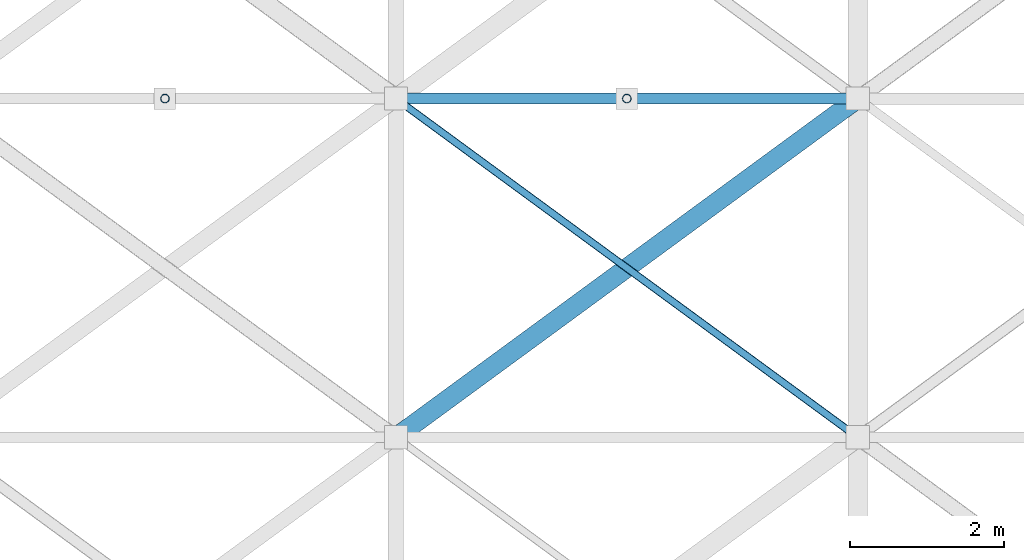
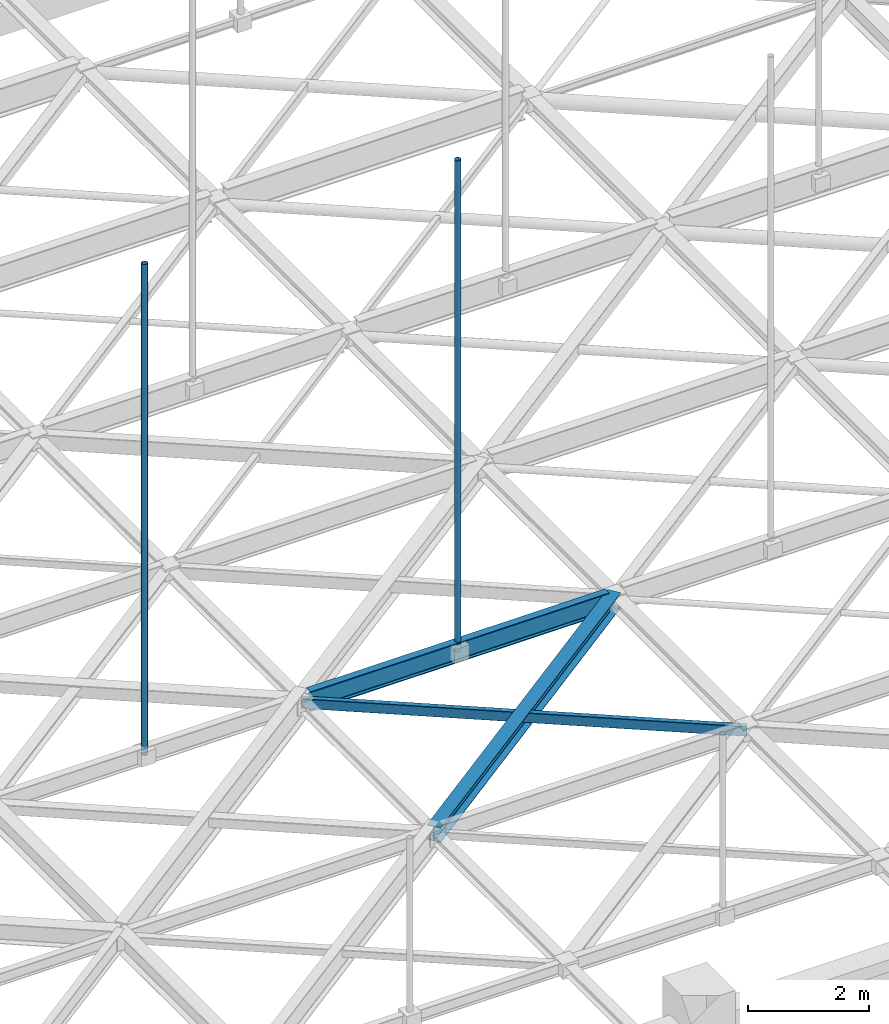
# One storey, part 33 of 93: 4 members, 1 beam.
"""IFC4 building model written with IfcOpenShell, lengths in metres."""

from ifc_helpers import new_model, si_unit, direction, frame, origin, origin_2d, place, context, subcontext, project, spatial, hollow_rectangle, hollow_circle, i_section, extrude, material, material_profile, profile_set, type_object, element, save


model = new_model("IFC4")

# Units and contexts
model_context = context("Model", 3, precision=1e-05, world=origin(), true_north=direction((0.0, 1.0)))
body_context = subcontext(model_context, "Body", "Model", "MODEL_VIEW")
ifc_project = project(units=[si_unit("LENGTHUNIT", "METRE"), si_unit("AREAUNIT", "SQUARE_METRE"), si_unit("VOLUMEUNIT", "CUBIC_METRE"), si_unit("PLANEANGLEUNIT", "RADIAN"), si_unit("MASSUNIT", "GRAM", prefix="KILO")], contexts=[model_context])

# Site, building, storey
site_placement = place(None, origin())
site = spatial("IfcSite", under=ifc_project, at=site_placement, CompositionType="ELEMENT")
building_placement = place(site_placement, origin())
building = spatial("IfcBuilding", under=site, at=building_placement, Name="Varnakota Cinema and Media Centre", CompositionType="ELEMENT")
storey_placement = place(building_placement, frame((0.0, 0.0, 12.0)))
storey = spatial("IfcBuildingStorey", under=building, at=storey_placement, Name="L03", CompositionType="ELEMENT", Elevation=12.0)

# Beam
ifc_material_1 = material(Name="Structural steel Grade 350 (E350)", Category="steel")
ifc_material_profile_1 = material_profile(ifc_material_1, i_section(OverallWidth=0.139892578125, OverallDepth=0.39990234375, WebThickness=0.0087890625, FlangeThickness=0.01611328125, FilletRadius=0.013916015625, at=origin_2d()), Name="ISMB 400")
ifc_profile_set_1 = profile_set([ifc_material_profile_1], Name="Structural steel Grade 350 (E350)")
beam_type = type_object("IfcBeamType", Name="BM-ST-ISMB400", PredefinedType="JOIST", material=ifc_profile_set_1)
beam_placement = place(storey_placement, frame((99.139892578125, 13.199951171875, 1.300048828125), z_axis=(1.0, 0.0, 0.0), x_axis=(0.0, 1.0, 0.0)))
element("IfcBeam", 1, at=beam_placement, inside=storey, type_object=beam_type, Name="V1 rigging beam 5.3", PredefinedType="JOIST", context=body_context, shape_type="SweptSolid", body=[
    extrude(i_section(OverallWidth=0.139892578125, OverallDepth=0.39990234375, WebThickness=0.0087890625, FlangeThickness=0.01611328125, FilletRadius=0.013916015625, at=origin_2d()), origin(), (0.0, 0.0, 1.0), 5.72021484375),
])

# Members
ifc_material_2 = material(Name="Structural steel S355 (YSt 355)", Category="steel")
ifc_material_profile_2 = material_profile(ifc_material_2, hollow_circle(Radius=0.05712890625, WallThickness=0.00537109375, at=origin_2d()), Name="CHS 114.3x5.4")
ifc_profile_set_2 = profile_set([ifc_material_profile_2], Name="Structural steel S355 (YSt 355)")
member_type_1 = type_object("IfcMemberType", Name="MEM-ST-CHS114_3x5_4", PredefinedType="BRACE", material=ifc_profile_set_2)
for number, where, z_axis, x_axis, name in (
    (2, (96.0, 13.199951171875, 1.300048828125), (0.0, 0.0, 1.0), (1.0, 0.0, 0.0), "V1 rigging hanger 4.2"),
    (3, (102.0, 13.199951171875, 1.300048828125), (0.0, 0.0, 1.0), (1.0, 0.0, 0.0), "V1 rigging hanger 5.2"),
):
    element("IfcMember", number, at=place(storey_placement, frame(where, z_axis=z_axis, x_axis=x_axis)), inside=storey, type_object=member_type_1, Name=name, PredefinedType="BRACE", context=body_context, shape_type="SweptSolid", body=[
        extrude(hollow_circle(Radius=0.05712890625, WallThickness=0.00537109375, at=origin_2d()), origin(), (0.0, 0.0, 1.0), 9.949951171875),
    ])
ifc_material_3 = material(Name="Structural steel Grade 350 (E350)", Category="steel")
ifc_material_profile_3 = material_profile(ifc_material_3, i_section(OverallWidth=0.25, OverallDepth=0.300048828125, WebThickness=0.009521484375, FlangeThickness=0.010498046875, FilletRadius=0.010986328125, at=origin_2d()), Name="ISHB 300")
ifc_profile_set_3 = profile_set([ifc_material_profile_3], Name="Structural steel Grade 350 (E350)")
member_type_2 = type_object("IfcMemberType", Name="MEM-ST-ISHB300", PredefinedType="CHORD", material=ifc_profile_set_3)
member_1_placement = place(storey_placement, frame((99.0, 8.800048828125, 1.300048828125), z_axis=(0.80641125493, 0.591355128432, 0.0), x_axis=(-0.591355128432, 0.80641125493, 0.0)))
element("IfcMember", 4, at=member_1_placement, inside=storey, type_object=member_type_2, Name="V1 rigging plan member A 5.2", PredefinedType="CHORD", context=body_context, shape_type="SweptSolid", body=[
    extrude(i_section(OverallWidth=0.25, OverallDepth=0.300048828125, WebThickness=0.009521484375, FlangeThickness=0.010498046875, FilletRadius=0.010986328125, at=origin_2d()), origin(), (0.0, 0.0, 1.0), 7.4404296875),
])
ifc_material_4 = material(Name="Structural steel S355 (YSt 355)", Category="steel")
ifc_material_profile_4 = material_profile(ifc_material_4, hollow_rectangle(XDim=0.10009765625, YDim=0.199951171875, WallThickness=0.006103515625, InnerFilletRadius=0.006103515625, OuterFilletRadius=0.011962890625, at=origin_2d()), Name="RHS 200x100x6")
ifc_profile_set_4 = profile_set([ifc_material_profile_4], Name="Structural steel S355 (YSt 355)")
member_type_3 = type_object("IfcMemberType", Name="MEM-ST-RHS200x100x6", PredefinedType="PURLIN", material=ifc_profile_set_4)
member_2_placement = place(storey_placement, frame((105.0, 8.800048828125, 1.300048828125), z_axis=(-0.80641125493, 0.591355128432, 0.0), x_axis=(-0.591355128432, -0.80641125493, 0.0)))
element("IfcMember", 5, at=member_2_placement, inside=storey, type_object=member_type_3, Name="V1 rigging plan member B 5.2", PredefinedType="PURLIN", context=body_context, shape_type="SweptSolid", body=[
    extrude(hollow_rectangle(XDim=0.10009765625, YDim=0.199951171875, WallThickness=0.006103515625, InnerFilletRadius=0.006103515625, OuterFilletRadius=0.011962890625, at=origin_2d()), origin(), (0.0, 0.0, 1.0), 7.4404296875),
])

save(model, "model.ifc")
